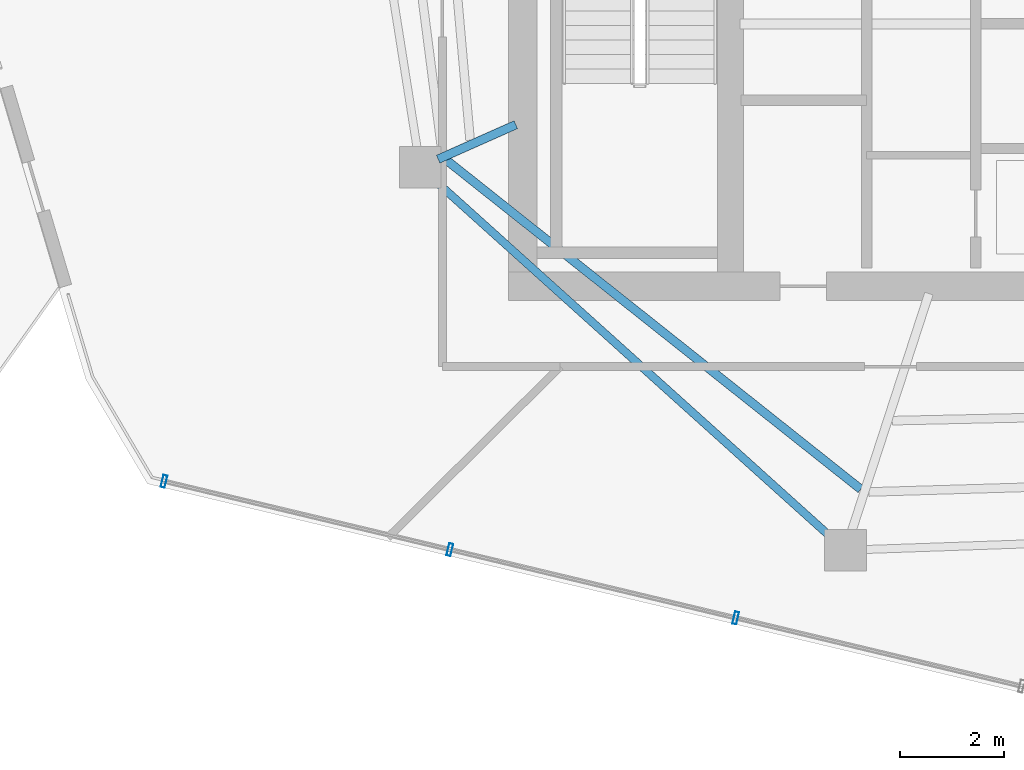
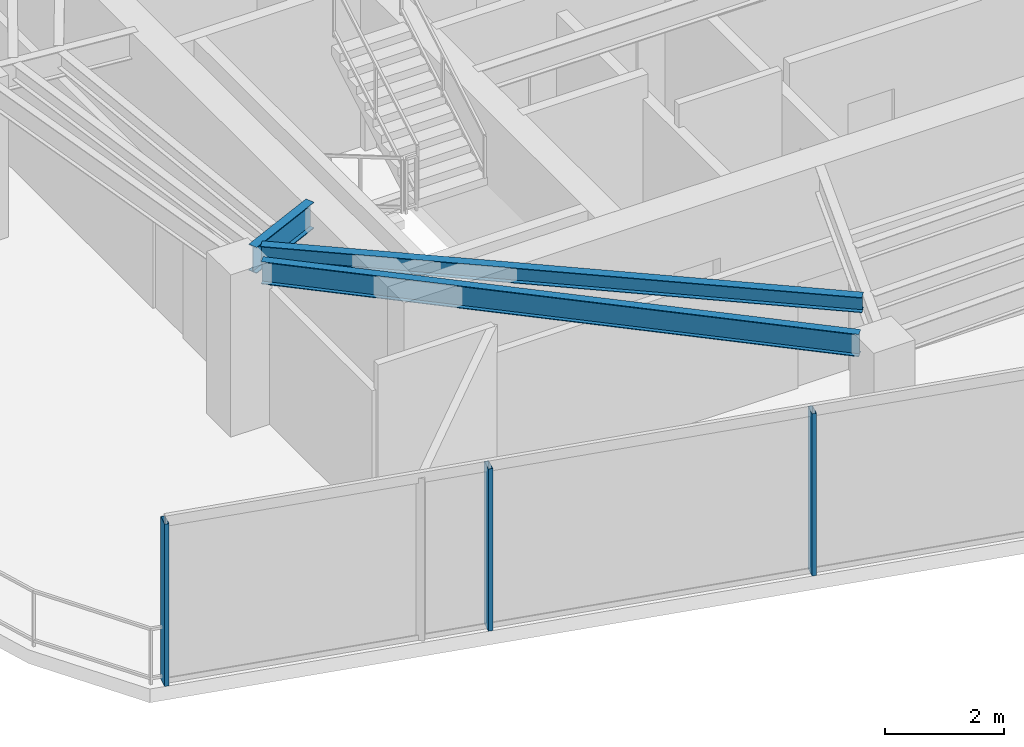
# One storey, part 2 of 18: 3 beams, 3 members, 1 element without a shape of its own.
"""IFC4 building model written with IfcOpenShell, lengths in metres."""

from ifc_helpers import new_model, si_unit, direction, frame, origin, origin_2d, place, context, subcontext, project, spatial, hollow_rectangle, i_section, extrude, material, layer, layer_set, material_profile, profile_set, type_object, element, aggregate, save


model = new_model("IFC4")

# Units and contexts
model_context = context("Model", 3, precision=1e-05, world=origin(), true_north=direction((0.0, 1.0)))
body_context = subcontext(model_context, "Body", "Model", "MODEL_VIEW")
ifc_project = project(units=[si_unit("LENGTHUNIT", "METRE"), si_unit("AREAUNIT", "SQUARE_METRE"), si_unit("VOLUMEUNIT", "CUBIC_METRE"), si_unit("PLANEANGLEUNIT", "RADIAN"), si_unit("MASSUNIT", "GRAM", prefix="KILO")], contexts=[model_context])

# Site, building, storey
site_placement = place(None, origin())
site = spatial("IfcSite", under=ifc_project, at=site_placement, CompositionType="ELEMENT")
building_placement = place(site_placement, origin())
building = spatial("IfcBuilding", under=site, at=building_placement, Name="Qarnah Convention Tower", CompositionType="ELEMENT")
storey_placement = place(building_placement, frame((0.0, 0.0, 242.699951171875)))
storey = spatial("IfcBuildingStorey", under=building, at=storey_placement, Name="L65", CompositionType="ELEMENT", Elevation=242.699951171875)

# Beams
ifc_material_1 = material(Name="Structural steel S355JR", Category="steel")
ifc_material_profile_1 = material_profile(ifc_material_1, i_section(OverallWidth=0.166015625, OverallDepth=0.31201171875, WebThickness=0.007080078125, FlangeThickness=0.010986328125, at=origin_2d()), Name="W310X45")
ifc_profile_set_1 = profile_set([ifc_material_profile_1], Name="Structural steel S355JR")
beam_type_1 = type_object("IfcBeamType", Name="BM-JST-W310", PredefinedType="JOIST", material=ifc_profile_set_1)
beam_1_placement = place(storey_placement, frame((25.325927734375, 21.027099609375, 3.1640625), z_axis=(0.783049084818, -0.621959910899, 0.0), x_axis=(0.621959910899, 0.783049084818, 0.0)))
element("IfcBeam", 1, at=beam_1_placement, inside=storey, type_object=beam_type_1, Name="L65 joist BM-L65-SJST-06", PredefinedType="JOIST", context=body_context, shape_type="SweptSolid", body=[
    extrude(i_section(OverallWidth=0.166015625, OverallDepth=0.31201171875, WebThickness=0.007080078125, FlangeThickness=0.010986328125, at=origin_2d()), origin(), (0.0, 0.0, 1.0), 10.192138671875),
])
ifc_material_profile_2 = material_profile(ifc_material_1, i_section(OverallWidth=0.166015625, OverallDepth=0.535888671875, WebThickness=0.010009765625, FlangeThickness=0.01708984375, at=origin_2d()), Name="W530X85")
ifc_profile_set_2 = profile_set([ifc_material_profile_2], Name="Structural steel S355JR")
beam_type_2 = type_object("IfcBeamType", Name="BM-RAD-W530B", PredefinedType="BEAM", material=ifc_profile_set_2)
beam_2_placement = place(storey_placement, frame((26.6630859375, 21.708984375, 3.052001953125), z_axis=(-0.913688456795, -0.406415309652, 0.0), x_axis=(0.406415309652, -0.913688456795, 0.0)))
element("IfcBeam", 2, at=beam_2_placement, inside=storey, type_object=beam_type_2, Name="L65 beam BM-L65-RAD-06", PredefinedType="BEAM", context=body_context, shape_type="SweptSolid", body=[
    extrude(i_section(OverallWidth=0.166015625, OverallDepth=0.535888671875, WebThickness=0.010009765625, FlangeThickness=0.01708984375, at=origin_2d()), origin(), (0.0, 0.0, 1.0), 1.636474609375),
])
ifc_material_profile_3 = material_profile(ifc_material_1, i_section(OverallWidth=0.154052734375, OverallDepth=0.4599609375, WebThickness=0.009033203125, FlangeThickness=0.014892578125, at=origin_2d()), Name="W460X68")
ifc_profile_set_3 = profile_set([ifc_material_profile_3], Name="Structural steel S355JR")
beam_type_3 = type_object("IfcBeamType", Name="BM-SPN-W460B", PredefinedType="SPANDREL", material=ifc_profile_set_3)
beam_3_placement = place(storey_placement, frame((25.111083984375, 20.6279296875, 3.090087890625), z_axis=(0.743130570512, -0.669146437762, 0.0), x_axis=(0.669146437762, 0.743130570512, 0.0)))
element("IfcBeam", 3, at=beam_3_placement, inside=storey, type_object=beam_type_3, Name="L65 spandrel BM-L65-SPN-06", PredefinedType="SPANDREL", context=body_context, shape_type="SweptSolid", body=[
    extrude(i_section(OverallWidth=0.154052734375, OverallDepth=0.4599609375, WebThickness=0.009033203125, FlangeThickness=0.014892578125, at=origin_2d()), origin(), (0.0, 0.0, 1.0), 10.242919921875),
])

# Curtain wall, members
ifc_material_2 = material(Name="Tempered Low-E dark glass", Category="glass")
ifc_layer = layer(ifc_material_2, 0.176025390625)
ifc_layer_set = layer_set([ifc_layer], Name="Tempered Low-E dark glass")
curtain_wall_type = type_object("IfcCurtainWallType", Name="CWS-05", PredefinedType="NOTDEFINED", material=ifc_layer_set)
curtain_wall_placement = place(storey_placement, origin())
curtain_wall = element("IfcCurtainWall", 4, at=curtain_wall_placement, inside=storey, type_object=curtain_wall_type, Name="L65 unitised curtain wall CW-L65-F3", PredefinedType="NOTDEFINED")
ifc_material_3 = material(Name="Black anodised aluminium", Category="aluminium")
ifc_material_profile_4 = material_profile(ifc_material_3, hollow_rectangle(XDim=0.080078125, YDim=0.239990234375, WallThickness=0.0048828125, at=origin_2d()), Name="MUL-80X240")
ifc_profile_set_4 = profile_set([ifc_material_profile_4], Name="Black anodised aluminium")
member_type = type_object("IfcMemberType", Name="MUL-T5", PredefinedType="MULLION", material=ifc_profile_set_4)
member_1_placement = place(storey_placement, frame((30.898681640625, 12.20849609375, 0.0), z_axis=(0.0, 0.0, 1.0), x_axis=(-0.972607205471, 0.232454778111, 0.0)))
member_1 = element("IfcMember", 5, at=member_1_placement, type_object=member_type, Name="CW-L65-F3 mullion 4", PredefinedType="MULLION", context=body_context, shape_type="SweptSolid", body=[
    extrude(hollow_rectangle(XDim=0.080078125, YDim=0.239990234375, WallThickness=0.0048828125, at=origin_2d()), origin(), (0.0, 0.0, 1.0), 3.320068359375),
])
member_2_placement = place(storey_placement, frame((25.393310546875, 13.524169921875, 0.0), z_axis=(0.0, 0.0, 1.0), x_axis=(-0.972607205471, 0.232454778111, 0.0)))
member_2 = element("IfcMember", 6, at=member_2_placement, type_object=member_type, Name="CW-L65-F3 mullion 5", PredefinedType="MULLION", context=body_context, shape_type="SweptSolid", body=[
    extrude(hollow_rectangle(XDim=0.080078125, YDim=0.239990234375, WallThickness=0.0048828125, at=origin_2d()), origin(), (0.0, 0.0, 1.0), 3.320068359375),
])
member_3_placement = place(storey_placement, frame((19.887939453125, 14.840087890625, 0.0), z_axis=(0.0, 0.0, 1.0), x_axis=(-0.972607205471, 0.232454778111, 0.0)))
member_3 = element("IfcMember", 7, at=member_3_placement, type_object=member_type, Name="CW-L65-F3 mullion 6", PredefinedType="MULLION", context=body_context, shape_type="SweptSolid", body=[
    extrude(hollow_rectangle(XDim=0.080078125, YDim=0.239990234375, WallThickness=0.0048828125, at=origin_2d()), origin(), (0.0, 0.0, 1.0), 3.320068359375),
])
aggregate(curtain_wall, [member_1, member_2, member_3])

save(model, "model.ifc")
